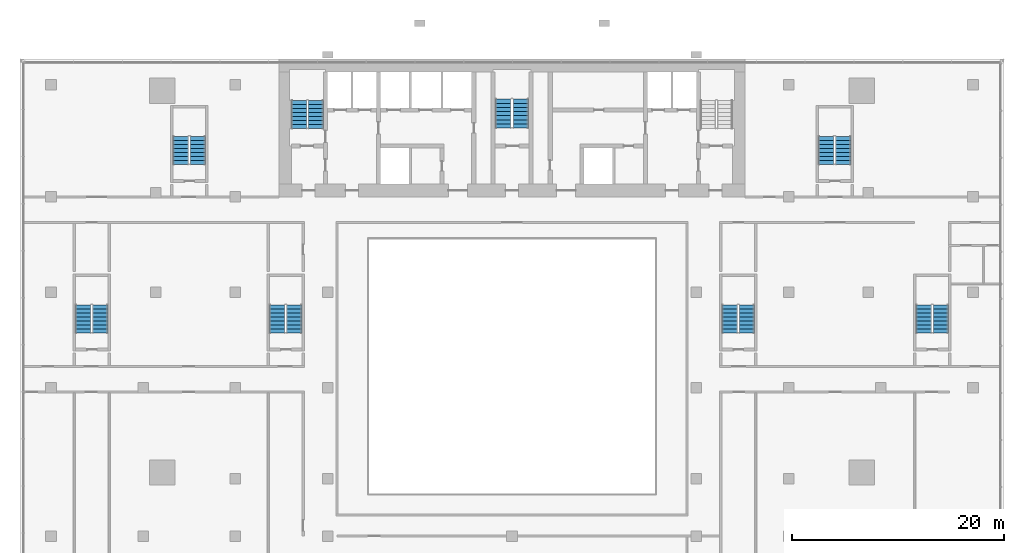
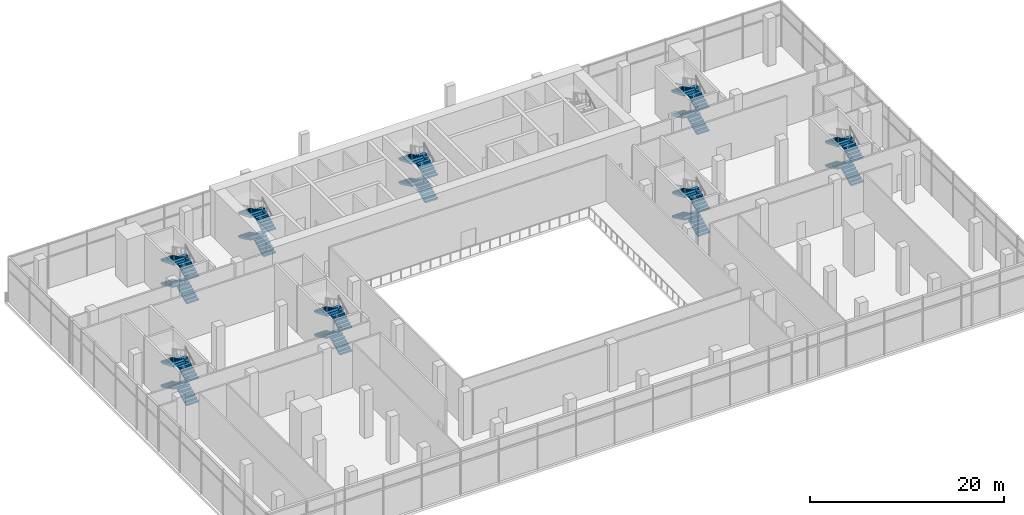
# One storey, part 16 of 22: 32 stair flights, 8 elements without a shape of their own.
"""IFC4 building model written with IfcOpenShell, lengths in metres."""

from ifc_helpers import new_model, si_unit, direction, frame, origin, place, context, subcontext, project, spatial, polyline, outline, extrude, material, type_object, element, aggregate, save


model = new_model("IFC4")

# Units and contexts
model_context = context("Model", 3, precision=1e-05, world=origin(), true_north=direction((0.0, 1.0)))
body_context = subcontext(model_context, "Body", "Model", "MODEL_VIEW")
ifc_project = project(units=[si_unit("LENGTHUNIT", "METRE"), si_unit("AREAUNIT", "SQUARE_METRE"), si_unit("VOLUMEUNIT", "CUBIC_METRE"), si_unit("PLANEANGLEUNIT", "RADIAN"), si_unit("MASSUNIT", "GRAM", prefix="KILO")], contexts=[model_context])

# Site, building, storey
site_placement = place(None, origin())
site = spatial("IfcSite", under=ifc_project, at=site_placement, CompositionType="ELEMENT")
building_placement = place(site_placement, origin())
building = spatial("IfcBuilding", under=site, at=building_placement, Name="Bicima Exchange Tower", CompositionType="ELEMENT")
storey_placement = place(building_placement, frame((0.0, 0.0, 14.0)))
storey = spatial("IfcBuildingStorey", under=building, at=storey_placement, Name="L02", CompositionType="ELEMENT", Elevation=14.0)

# Stair, stair flights
ifc_material = material(Name="Concrete C50/60", Category="concrete")
stair_type_1 = type_object("IfcStairType", Name="Exit stair", PredefinedType="HALF_TURN_STAIR", material=ifc_material)
stair_1_placement = place(storey_placement, origin())
stair_1 = element("IfcStair", 1, at=stair_1_placement, inside=storey, type_object=stair_type_1, Name="L02 West exit stair", PredefinedType="HALF_TURN_STAIR")
stair_flight_type_1 = type_object("IfcStairFlightType", Name="Stair flight RC", PredefinedType="STRAIGHT", material=ifc_material)
stair_flight_1_placement = place(storey_placement, frame((-18.52490234375, -6.550048828125, 0.0), z_axis=(0.0, 0.0, 1.0), x_axis=(0.0, 1.0, 0.0)))
stair_flight_1 = element("IfcStairFlight", 2, at=stair_flight_1_placement, type_object=stair_flight_type_1, Name="ST-W flight 1", NumberOfRisers=8, NumberOfTreads=7, PredefinedType="STRAIGHT", RiserHeight=0.1875, TreadLength=0.375714286, context=body_context, shape_type="SweptSolid", body=[
    extrude(outline(polyline([(0.0, 0.0), (0.0, 0.1875), (0.375732421875, 0.1875), (0.375732421875, 0.375), (0.75146484375, 0.375), (0.75146484375, 0.5625), (1.127197265625, 0.5625), (1.127197265625, 0.75), (1.5029296875, 0.75), (1.5029296875, 0.9375), (1.878662109375, 0.9375), (1.878662109375, 1.125), (2.25439453125, 1.125), (2.25439453125, 1.3125), (2.6298828125, 1.3125), (2.6298828125, 1.5), (2.6298828125, 1.14501953125), (0.335693359375, 0.0), (0.0, 0.0)])), frame((0.0, 0.72509765625, 0.0), z_axis=(0.0, -1.0, 0.0), x_axis=(1.0, 0.0, 0.0)), (0.0, 0.0, 1.0), 1.449951171875),
])
stair_flight_2_placement = place(storey_placement, frame((-20.074951171875, -3.919921875, 1.5), z_axis=(0.0, 0.0, 1.0), x_axis=(0.0, -1.0, 0.0)))
stair_flight_2 = element("IfcStairFlight", 3, at=stair_flight_2_placement, type_object=stair_flight_type_1, Name="ST-W flight 2", NumberOfRisers=8, NumberOfTreads=7, PredefinedType="STRAIGHT", RiserHeight=0.1875, TreadLength=0.375714286, context=body_context, shape_type="SweptSolid", body=[
    extrude(outline(polyline([(0.0, 0.0), (0.0, 0.1875), (0.375732421875, 0.1875), (0.375732421875, 0.375), (0.75146484375, 0.375), (0.75146484375, 0.5625), (1.127197265625, 0.5625), (1.127197265625, 0.75), (1.5029296875, 0.75), (1.5029296875, 0.9375), (1.878662109375, 0.9375), (1.878662109375, 1.125), (2.25439453125, 1.125), (2.25439453125, 1.3125), (2.6298828125, 1.3125), (2.6298828125, 1.5), (2.6298828125, 1.14501953125), (0.335693359375, 0.0), (0.0, 0.0)])), frame((0.0, 0.72509765625, 0.0), z_axis=(0.0, -1.0, 0.0), x_axis=(1.0, 0.0, 0.0)), (0.0, 0.0, 1.0), 1.449951171875),
])
stair_flight_3_placement = place(storey_placement, frame((-18.52490234375, -6.550048828125, 3.0), z_axis=(0.0, 0.0, 1.0), x_axis=(0.0, 1.0, 0.0)))
stair_flight_3 = element("IfcStairFlight", 4, at=stair_flight_3_placement, type_object=stair_flight_type_1, Name="ST-W flight 3", NumberOfRisers=8, NumberOfTreads=7, PredefinedType="STRAIGHT", RiserHeight=0.1875, TreadLength=0.375714286, context=body_context, shape_type="SweptSolid", body=[
    extrude(outline(polyline([(0.0, 0.0), (0.0, 0.1875), (0.375732421875, 0.1875), (0.375732421875, 0.375), (0.75146484375, 0.375), (0.75146484375, 0.5625), (1.127197265625, 0.5625), (1.127197265625, 0.75), (1.5029296875, 0.75), (1.5029296875, 0.9375), (1.878662109375, 0.9375), (1.878662109375, 1.125), (2.25439453125, 1.125), (2.25439453125, 1.3125), (2.6298828125, 1.3125), (2.6298828125, 1.5), (2.6298828125, 1.14501953125), (0.335693359375, 0.0), (0.0, 0.0)])), frame((0.0, 0.72509765625, 0.0), z_axis=(0.0, -1.0, 0.0), x_axis=(1.0, 0.0, 0.0)), (0.0, 0.0, 1.0), 1.449951171875),
])
stair_flight_4_placement = place(storey_placement, frame((-20.074951171875, -3.919921875, 4.5), z_axis=(0.0, 0.0, 1.0), x_axis=(0.0, -1.0, 0.0)))
stair_flight_4 = element("IfcStairFlight", 5, at=stair_flight_4_placement, type_object=stair_flight_type_1, Name="ST-W flight 4", NumberOfRisers=8, NumberOfTreads=7, PredefinedType="STRAIGHT", RiserHeight=0.1875, TreadLength=0.375714286, context=body_context, shape_type="SweptSolid", body=[
    extrude(outline(polyline([(0.0, 0.0), (0.0, 0.1875), (0.375732421875, 0.1875), (0.375732421875, 0.375), (0.75146484375, 0.375), (0.75146484375, 0.5625), (1.127197265625, 0.5625), (1.127197265625, 0.75), (1.5029296875, 0.75), (1.5029296875, 0.9375), (1.878662109375, 0.9375), (1.878662109375, 1.125), (2.25439453125, 1.125), (2.25439453125, 1.3125), (2.6298828125, 1.3125), (2.64501953125, 1.3125), (2.64501953125, 0.96484375), (0.335693359375, 0.0), (0.0, 0.0)])), frame((0.0, 0.72509765625, 0.0), z_axis=(0.0, -1.0, 0.0), x_axis=(1.0, 0.0, 0.0)), (0.0, 0.0, 1.0), 1.449951171875),
])
aggregate(stair_1, [stair_flight_1, stair_flight_2, stair_flight_3, stair_flight_4])

stair_2_placement = place(storey_placement, origin())
stair_2 = element("IfcStair", 6, at=stair_2_placement, inside=storey, type_object=stair_type_1, Name="L02 West end exit stair", PredefinedType="HALF_TURN_STAIR")
stair_flight_5_placement = place(storey_placement, frame((-29.64990234375, -9.925048828125, 0.0), z_axis=(0.0, 0.0, 1.0), x_axis=(0.0, 1.0, 0.0)))
stair_flight_5 = element("IfcStairFlight", 7, at=stair_flight_5_placement, type_object=stair_flight_type_1, Name="ST-WW flight 1", NumberOfRisers=8, NumberOfTreads=7, PredefinedType="STRAIGHT", RiserHeight=0.1875, TreadLength=0.375714286, context=body_context, shape_type="SweptSolid", body=[
    extrude(outline(polyline([(0.0, 0.0), (0.0, 0.1875), (0.375732421875, 0.1875), (0.375732421875, 0.375), (0.75146484375, 0.375), (0.75146484375, 0.5625), (1.127197265625, 0.5625), (1.127197265625, 0.75), (1.5029296875, 0.75), (1.5029296875, 0.9375), (1.878662109375, 0.9375), (1.878662109375, 1.125), (2.25439453125, 1.125), (2.25439453125, 1.3125), (2.6298828125, 1.3125), (2.6298828125, 1.5), (2.6298828125, 1.14501953125), (0.335693359375, 0.0), (0.0, 0.0)])), frame((0.0, 0.72509765625, 0.0), z_axis=(0.0, -1.0, 0.0), x_axis=(1.0, 0.0, 0.0)), (0.0, 0.0, 1.0), 1.449951171875),
])
stair_flight_6_placement = place(storey_placement, frame((-31.25, -7.294921875, 1.5), z_axis=(0.0, 0.0, 1.0), x_axis=(0.0, -1.0, 0.0)))
stair_flight_6 = element("IfcStairFlight", 8, at=stair_flight_6_placement, type_object=stair_flight_type_1, Name="ST-WW flight 2", NumberOfRisers=8, NumberOfTreads=7, PredefinedType="STRAIGHT", RiserHeight=0.1875, TreadLength=0.375714286, context=body_context, shape_type="SweptSolid", body=[
    extrude(outline(polyline([(0.0, 0.0), (0.0, 0.1875), (0.375732421875, 0.1875), (0.375732421875, 0.375), (0.75146484375, 0.375), (0.75146484375, 0.5625), (1.127197265625, 0.5625), (1.127197265625, 0.75), (1.5029296875, 0.75), (1.5029296875, 0.9375), (1.878662109375, 0.9375), (1.878662109375, 1.125), (2.25439453125, 1.125), (2.25439453125, 1.3125), (2.6298828125, 1.3125), (2.6298828125, 1.5), (2.6298828125, 1.14501953125), (0.335693359375, 0.0), (0.0, 0.0)])), frame((0.0, 0.72509765625, 0.0), z_axis=(0.0, -1.0, 0.0), x_axis=(1.0, 0.0, 0.0)), (0.0, 0.0, 1.0), 1.449951171875),
])
stair_flight_7_placement = place(storey_placement, frame((-29.64990234375, -9.925048828125, 3.0), z_axis=(0.0, 0.0, 1.0), x_axis=(0.0, 1.0, 0.0)))
stair_flight_7 = element("IfcStairFlight", 9, at=stair_flight_7_placement, type_object=stair_flight_type_1, Name="ST-WW flight 3", NumberOfRisers=8, NumberOfTreads=7, PredefinedType="STRAIGHT", RiserHeight=0.1875, TreadLength=0.375714286, context=body_context, shape_type="SweptSolid", body=[
    extrude(outline(polyline([(0.0, 0.0), (0.0, 0.1875), (0.375732421875, 0.1875), (0.375732421875, 0.375), (0.75146484375, 0.375), (0.75146484375, 0.5625), (1.127197265625, 0.5625), (1.127197265625, 0.75), (1.5029296875, 0.75), (1.5029296875, 0.9375), (1.878662109375, 0.9375), (1.878662109375, 1.125), (2.25439453125, 1.125), (2.25439453125, 1.3125), (2.6298828125, 1.3125), (2.6298828125, 1.5), (2.6298828125, 1.14501953125), (0.335693359375, 0.0), (0.0, 0.0)])), frame((0.0, 0.72509765625, 0.0), z_axis=(0.0, -1.0, 0.0), x_axis=(1.0, 0.0, 0.0)), (0.0, 0.0, 1.0), 1.449951171875),
])
stair_flight_8_placement = place(storey_placement, frame((-31.25, -7.294921875, 4.5), z_axis=(0.0, 0.0, 1.0), x_axis=(0.0, -1.0, 0.0)))
stair_flight_8 = element("IfcStairFlight", 10, at=stair_flight_8_placement, type_object=stair_flight_type_1, Name="ST-WW flight 4", NumberOfRisers=8, NumberOfTreads=7, PredefinedType="STRAIGHT", RiserHeight=0.1875, TreadLength=0.375714286, context=body_context, shape_type="SweptSolid", body=[
    extrude(outline(polyline([(0.0, 0.0), (0.0, 0.1875), (0.375732421875, 0.1875), (0.375732421875, 0.375), (0.75146484375, 0.375), (0.75146484375, 0.5625), (1.127197265625, 0.5625), (1.127197265625, 0.75), (1.5029296875, 0.75), (1.5029296875, 0.9375), (1.878662109375, 0.9375), (1.878662109375, 1.125), (2.25439453125, 1.125), (2.25439453125, 1.3125), (2.6298828125, 1.3125), (2.64501953125, 1.3125), (2.64501953125, 0.96484375), (0.335693359375, 0.0), (0.0, 0.0)])), frame((0.0, 0.72509765625, 0.0), z_axis=(0.0, -1.0, 0.0), x_axis=(1.0, 0.0, 0.0)), (0.0, 0.0, 1.0), 1.449951171875),
])
aggregate(stair_2, [stair_flight_5, stair_flight_6, stair_flight_7, stair_flight_8])

stair_3_placement = place(storey_placement, origin())
stair_3 = element("IfcStair", 11, at=stair_3_placement, inside=storey, type_object=stair_type_1, Name="L02 East end exit stair", PredefinedType="HALF_TURN_STAIR")
stair_flight_9_placement = place(storey_placement, frame((31.25, -9.925048828125, 0.0), z_axis=(0.0, 0.0, 1.0), x_axis=(0.0, 1.0, 0.0)))
stair_flight_9 = element("IfcStairFlight", 12, at=stair_flight_9_placement, type_object=stair_flight_type_1, Name="ST-EE flight 1", NumberOfRisers=8, NumberOfTreads=7, PredefinedType="STRAIGHT", RiserHeight=0.1875, TreadLength=0.375714286, context=body_context, shape_type="SweptSolid", body=[
    extrude(outline(polyline([(0.0, 0.0), (0.0, 0.1875), (0.375732421875, 0.1875), (0.375732421875, 0.375), (0.75146484375, 0.375), (0.75146484375, 0.5625), (1.127197265625, 0.5625), (1.127197265625, 0.75), (1.5029296875, 0.75), (1.5029296875, 0.9375), (1.878662109375, 0.9375), (1.878662109375, 1.125), (2.25439453125, 1.125), (2.25439453125, 1.3125), (2.6298828125, 1.3125), (2.6298828125, 1.5), (2.6298828125, 1.14501953125), (0.335693359375, 0.0), (0.0, 0.0)])), frame((0.0, 0.72509765625, 0.0), z_axis=(0.0, -1.0, 0.0), x_axis=(1.0, 0.0, 0.0)), (0.0, 0.0, 1.0), 1.449951171875),
])
stair_flight_10_placement = place(storey_placement, frame((29.64990234375, -7.294921875, 1.5), z_axis=(0.0, 0.0, 1.0), x_axis=(0.0, -1.0, 0.0)))
stair_flight_10 = element("IfcStairFlight", 13, at=stair_flight_10_placement, type_object=stair_flight_type_1, Name="ST-EE flight 2", NumberOfRisers=8, NumberOfTreads=7, PredefinedType="STRAIGHT", RiserHeight=0.1875, TreadLength=0.375714286, context=body_context, shape_type="SweptSolid", body=[
    extrude(outline(polyline([(0.0, 0.0), (0.0, 0.1875), (0.375732421875, 0.1875), (0.375732421875, 0.375), (0.75146484375, 0.375), (0.75146484375, 0.5625), (1.127197265625, 0.5625), (1.127197265625, 0.75), (1.5029296875, 0.75), (1.5029296875, 0.9375), (1.878662109375, 0.9375), (1.878662109375, 1.125), (2.25439453125, 1.125), (2.25439453125, 1.3125), (2.6298828125, 1.3125), (2.6298828125, 1.5), (2.6298828125, 1.14501953125), (0.335693359375, 0.0), (0.0, 0.0)])), frame((0.0, 0.72509765625, 0.0), z_axis=(0.0, -1.0, 0.0), x_axis=(1.0, 0.0, 0.0)), (0.0, 0.0, 1.0), 1.449951171875),
])
stair_flight_11_placement = place(storey_placement, frame((31.25, -9.925048828125, 3.0), z_axis=(0.0, 0.0, 1.0), x_axis=(0.0, 1.0, 0.0)))
stair_flight_11 = element("IfcStairFlight", 14, at=stair_flight_11_placement, type_object=stair_flight_type_1, Name="ST-EE flight 3", NumberOfRisers=8, NumberOfTreads=7, PredefinedType="STRAIGHT", RiserHeight=0.1875, TreadLength=0.375714286, context=body_context, shape_type="SweptSolid", body=[
    extrude(outline(polyline([(0.0, 0.0), (0.0, 0.1875), (0.375732421875, 0.1875), (0.375732421875, 0.375), (0.75146484375, 0.375), (0.75146484375, 0.5625), (1.127197265625, 0.5625), (1.127197265625, 0.75), (1.5029296875, 0.75), (1.5029296875, 0.9375), (1.878662109375, 0.9375), (1.878662109375, 1.125), (2.25439453125, 1.125), (2.25439453125, 1.3125), (2.6298828125, 1.3125), (2.6298828125, 1.5), (2.6298828125, 1.14501953125), (0.335693359375, 0.0), (0.0, 0.0)])), frame((0.0, 0.72509765625, 0.0), z_axis=(0.0, -1.0, 0.0), x_axis=(1.0, 0.0, 0.0)), (0.0, 0.0, 1.0), 1.449951171875),
])
stair_flight_12_placement = place(storey_placement, frame((29.64990234375, -7.294921875, 4.5), z_axis=(0.0, 0.0, 1.0), x_axis=(0.0, -1.0, 0.0)))
stair_flight_12 = element("IfcStairFlight", 15, at=stair_flight_12_placement, type_object=stair_flight_type_1, Name="ST-EE flight 4", NumberOfRisers=8, NumberOfTreads=7, PredefinedType="STRAIGHT", RiserHeight=0.1875, TreadLength=0.375714286, context=body_context, shape_type="SweptSolid", body=[
    extrude(outline(polyline([(0.0, 0.0), (0.0, 0.1875), (0.375732421875, 0.1875), (0.375732421875, 0.375), (0.75146484375, 0.375), (0.75146484375, 0.5625), (1.127197265625, 0.5625), (1.127197265625, 0.75), (1.5029296875, 0.75), (1.5029296875, 0.9375), (1.878662109375, 0.9375), (1.878662109375, 1.125), (2.25439453125, 1.125), (2.25439453125, 1.3125), (2.6298828125, 1.3125), (2.64501953125, 1.3125), (2.64501953125, 0.96484375), (0.335693359375, 0.0), (0.0, 0.0)])), frame((0.0, 0.72509765625, 0.0), z_axis=(0.0, -1.0, 0.0), x_axis=(1.0, 0.0, 0.0)), (0.0, 0.0, 1.0), 1.449951171875),
])
aggregate(stair_3, [stair_flight_9, stair_flight_10, stair_flight_11, stair_flight_12])

stair_4_placement = place(storey_placement, origin())
stair_4 = element("IfcStair", 16, at=stair_4_placement, inside=storey, type_object=stair_type_1, Name="L02 Podium west stair", PredefinedType="HALF_TURN_STAIR")
stair_flight_13_placement = place(storey_placement, frame((-38.85009765625, -25.824951171875, 0.0), z_axis=(0.0, 0.0, 1.0), x_axis=(0.0, 1.0, 0.0)))
stair_flight_13 = element("IfcStairFlight", 17, at=stair_flight_13_placement, type_object=stair_flight_type_1, Name="PS-W flight 1", NumberOfRisers=8, NumberOfTreads=7, PredefinedType="STRAIGHT", RiserHeight=0.1875, TreadLength=0.375714286, context=body_context, shape_type="SweptSolid", body=[
    extrude(outline(polyline([(0.0, 0.0), (0.0, 0.1875), (0.375732421875, 0.1875), (0.375732421875, 0.375), (0.75146484375, 0.375), (0.75146484375, 0.5625), (1.127197265625, 0.5625), (1.127197265625, 0.75), (1.5029296875, 0.75), (1.5029296875, 0.9375), (1.878662109375, 0.9375), (1.878662109375, 1.125), (2.25439453125, 1.125), (2.25439453125, 1.3125), (2.6298828125, 1.3125), (2.6298828125, 1.5), (2.6298828125, 1.14501953125), (0.335693359375, 0.0), (0.0, 0.0)])), frame((0.0, 0.72509765625, 0.0), z_axis=(0.0, -1.0, 0.0), x_axis=(1.0, 0.0, 0.0)), (0.0, 0.0, 1.0), 1.449951171875),
])
stair_flight_14_placement = place(storey_placement, frame((-40.449951171875, -23.195068359375, 1.5), z_axis=(0.0, 0.0, 1.0), x_axis=(0.0, -1.0, 0.0)))
stair_flight_14 = element("IfcStairFlight", 18, at=stair_flight_14_placement, type_object=stair_flight_type_1, Name="PS-W flight 2", NumberOfRisers=8, NumberOfTreads=7, PredefinedType="STRAIGHT", RiserHeight=0.1875, TreadLength=0.375714286, context=body_context, shape_type="SweptSolid", body=[
    extrude(outline(polyline([(0.0, 0.0), (0.0, 0.1875), (0.375732421875, 0.1875), (0.375732421875, 0.375), (0.75146484375, 0.375), (0.75146484375, 0.5625), (1.127197265625, 0.5625), (1.127197265625, 0.75), (1.5029296875, 0.75), (1.5029296875, 0.9375), (1.878662109375, 0.9375), (1.878662109375, 1.125), (2.25439453125, 1.125), (2.25439453125, 1.3125), (2.6298828125, 1.3125), (2.6298828125, 1.5), (2.6298828125, 1.14501953125), (0.335693359375, 0.0), (0.0, 0.0)])), frame((0.0, 0.72509765625, 0.0), z_axis=(0.0, -1.0, 0.0), x_axis=(1.0, 0.0, 0.0)), (0.0, 0.0, 1.0), 1.449951171875),
])
stair_flight_15_placement = place(storey_placement, frame((-38.85009765625, -25.824951171875, 3.0), z_axis=(0.0, 0.0, 1.0), x_axis=(0.0, 1.0, 0.0)))
stair_flight_15 = element("IfcStairFlight", 19, at=stair_flight_15_placement, type_object=stair_flight_type_1, Name="PS-W flight 3", NumberOfRisers=8, NumberOfTreads=7, PredefinedType="STRAIGHT", RiserHeight=0.1875, TreadLength=0.375714286, context=body_context, shape_type="SweptSolid", body=[
    extrude(outline(polyline([(0.0, 0.0), (0.0, 0.1875), (0.375732421875, 0.1875), (0.375732421875, 0.375), (0.75146484375, 0.375), (0.75146484375, 0.5625), (1.127197265625, 0.5625), (1.127197265625, 0.75), (1.5029296875, 0.75), (1.5029296875, 0.9375), (1.878662109375, 0.9375), (1.878662109375, 1.125), (2.25439453125, 1.125), (2.25439453125, 1.3125), (2.6298828125, 1.3125), (2.6298828125, 1.5), (2.6298828125, 1.14501953125), (0.335693359375, 0.0), (0.0, 0.0)])), frame((0.0, 0.72509765625, 0.0), z_axis=(0.0, -1.0, 0.0), x_axis=(1.0, 0.0, 0.0)), (0.0, 0.0, 1.0), 1.449951171875),
])
stair_flight_16_placement = place(storey_placement, frame((-40.449951171875, -23.195068359375, 4.5), z_axis=(0.0, 0.0, 1.0), x_axis=(0.0, -1.0, 0.0)))
stair_flight_16 = element("IfcStairFlight", 20, at=stair_flight_16_placement, type_object=stair_flight_type_1, Name="PS-W flight 4", NumberOfRisers=8, NumberOfTreads=7, PredefinedType="STRAIGHT", RiserHeight=0.1875, TreadLength=0.375714286, context=body_context, shape_type="SweptSolid", body=[
    extrude(outline(polyline([(0.0, 0.0), (0.0, 0.1875), (0.375732421875, 0.1875), (0.375732421875, 0.375), (0.75146484375, 0.375), (0.75146484375, 0.5625), (1.127197265625, 0.5625), (1.127197265625, 0.75), (1.5029296875, 0.75), (1.5029296875, 0.9375), (1.878662109375, 0.9375), (1.878662109375, 1.125), (2.25439453125, 1.125), (2.25439453125, 1.3125), (2.6298828125, 1.3125), (2.64501953125, 1.3125), (2.64501953125, 0.96484375), (0.335693359375, 0.0), (0.0, 0.0)])), frame((0.0, 0.72509765625, 0.0), z_axis=(0.0, -1.0, 0.0), x_axis=(1.0, 0.0, 0.0)), (0.0, 0.0, 1.0), 1.449951171875),
])
aggregate(stair_4, [stair_flight_13, stair_flight_14, stair_flight_15, stair_flight_16])

stair_5_placement = place(storey_placement, origin())
stair_5 = element("IfcStair", 21, at=stair_5_placement, inside=storey, type_object=stair_type_1, Name="L02 Podium inner west stair", PredefinedType="HALF_TURN_STAIR")
stair_flight_17_placement = place(storey_placement, frame((-20.550048828125, -25.824951171875, 0.0), z_axis=(0.0, 0.0, 1.0), x_axis=(0.0, 1.0, 0.0)))
stair_flight_17 = element("IfcStairFlight", 22, at=stair_flight_17_placement, type_object=stair_flight_type_1, Name="PS-WI flight 1", NumberOfRisers=8, NumberOfTreads=7, PredefinedType="STRAIGHT", RiserHeight=0.1875, TreadLength=0.375714286, context=body_context, shape_type="SweptSolid", body=[
    extrude(outline(polyline([(0.0, 0.0), (0.0, 0.1875), (0.375732421875, 0.1875), (0.375732421875, 0.375), (0.75146484375, 0.375), (0.75146484375, 0.5625), (1.127197265625, 0.5625), (1.127197265625, 0.75), (1.5029296875, 0.75), (1.5029296875, 0.9375), (1.878662109375, 0.9375), (1.878662109375, 1.125), (2.25439453125, 1.125), (2.25439453125, 1.3125), (2.6298828125, 1.3125), (2.6298828125, 1.5), (2.6298828125, 1.14501953125), (0.335693359375, 0.0), (0.0, 0.0)])), frame((0.0, 0.72509765625, 0.0), z_axis=(0.0, -1.0, 0.0), x_axis=(1.0, 0.0, 0.0)), (0.0, 0.0, 1.0), 1.449951171875),
])
stair_flight_18_placement = place(storey_placement, frame((-22.14990234375, -23.195068359375, 1.5), z_axis=(0.0, 0.0, 1.0), x_axis=(0.0, -1.0, 0.0)))
stair_flight_18 = element("IfcStairFlight", 23, at=stair_flight_18_placement, type_object=stair_flight_type_1, Name="PS-WI flight 2", NumberOfRisers=8, NumberOfTreads=7, PredefinedType="STRAIGHT", RiserHeight=0.1875, TreadLength=0.375714286, context=body_context, shape_type="SweptSolid", body=[
    extrude(outline(polyline([(0.0, 0.0), (0.0, 0.1875), (0.375732421875, 0.1875), (0.375732421875, 0.375), (0.75146484375, 0.375), (0.75146484375, 0.5625), (1.127197265625, 0.5625), (1.127197265625, 0.75), (1.5029296875, 0.75), (1.5029296875, 0.9375), (1.878662109375, 0.9375), (1.878662109375, 1.125), (2.25439453125, 1.125), (2.25439453125, 1.3125), (2.6298828125, 1.3125), (2.6298828125, 1.5), (2.6298828125, 1.14501953125), (0.335693359375, 0.0), (0.0, 0.0)])), frame((0.0, 0.72509765625, 0.0), z_axis=(0.0, -1.0, 0.0), x_axis=(1.0, 0.0, 0.0)), (0.0, 0.0, 1.0), 1.449951171875),
])
stair_flight_19_placement = place(storey_placement, frame((-20.550048828125, -25.824951171875, 3.0), z_axis=(0.0, 0.0, 1.0), x_axis=(0.0, 1.0, 0.0)))
stair_flight_19 = element("IfcStairFlight", 24, at=stair_flight_19_placement, type_object=stair_flight_type_1, Name="PS-WI flight 3", NumberOfRisers=8, NumberOfTreads=7, PredefinedType="STRAIGHT", RiserHeight=0.1875, TreadLength=0.375714286, context=body_context, shape_type="SweptSolid", body=[
    extrude(outline(polyline([(0.0, 0.0), (0.0, 0.1875), (0.375732421875, 0.1875), (0.375732421875, 0.375), (0.75146484375, 0.375), (0.75146484375, 0.5625), (1.127197265625, 0.5625), (1.127197265625, 0.75), (1.5029296875, 0.75), (1.5029296875, 0.9375), (1.878662109375, 0.9375), (1.878662109375, 1.125), (2.25439453125, 1.125), (2.25439453125, 1.3125), (2.6298828125, 1.3125), (2.6298828125, 1.5), (2.6298828125, 1.14501953125), (0.335693359375, 0.0), (0.0, 0.0)])), frame((0.0, 0.72509765625, 0.0), z_axis=(0.0, -1.0, 0.0), x_axis=(1.0, 0.0, 0.0)), (0.0, 0.0, 1.0), 1.449951171875),
])
stair_flight_20_placement = place(storey_placement, frame((-22.14990234375, -23.195068359375, 4.5), z_axis=(0.0, 0.0, 1.0), x_axis=(0.0, -1.0, 0.0)))
stair_flight_20 = element("IfcStairFlight", 25, at=stair_flight_20_placement, type_object=stair_flight_type_1, Name="PS-WI flight 4", NumberOfRisers=8, NumberOfTreads=7, PredefinedType="STRAIGHT", RiserHeight=0.1875, TreadLength=0.375714286, context=body_context, shape_type="SweptSolid", body=[
    extrude(outline(polyline([(0.0, 0.0), (0.0, 0.1875), (0.375732421875, 0.1875), (0.375732421875, 0.375), (0.75146484375, 0.375), (0.75146484375, 0.5625), (1.127197265625, 0.5625), (1.127197265625, 0.75), (1.5029296875, 0.75), (1.5029296875, 0.9375), (1.878662109375, 0.9375), (1.878662109375, 1.125), (2.25439453125, 1.125), (2.25439453125, 1.3125), (2.6298828125, 1.3125), (2.64501953125, 1.3125), (2.64501953125, 0.96484375), (0.335693359375, 0.0), (0.0, 0.0)])), frame((0.0, 0.72509765625, 0.0), z_axis=(0.0, -1.0, 0.0), x_axis=(1.0, 0.0, 0.0)), (0.0, 0.0, 1.0), 1.449951171875),
])
aggregate(stair_5, [stair_flight_17, stair_flight_18, stair_flight_19, stair_flight_20])

stair_6_placement = place(storey_placement, origin())
stair_6 = element("IfcStair", 26, at=stair_6_placement, inside=storey, type_object=stair_type_1, Name="L02 Podium inner east stair", PredefinedType="HALF_TURN_STAIR")
stair_flight_21_placement = place(storey_placement, frame((22.14990234375, -25.824951171875, 0.0), z_axis=(0.0, 0.0, 1.0), x_axis=(0.0, 1.0, 0.0)))
stair_flight_21 = element("IfcStairFlight", 27, at=stair_flight_21_placement, type_object=stair_flight_type_1, Name="PS-EI flight 1", NumberOfRisers=8, NumberOfTreads=7, PredefinedType="STRAIGHT", RiserHeight=0.1875, TreadLength=0.375714286, context=body_context, shape_type="SweptSolid", body=[
    extrude(outline(polyline([(0.0, 0.0), (0.0, 0.1875), (0.375732421875, 0.1875), (0.375732421875, 0.375), (0.75146484375, 0.375), (0.75146484375, 0.5625), (1.127197265625, 0.5625), (1.127197265625, 0.75), (1.5029296875, 0.75), (1.5029296875, 0.9375), (1.878662109375, 0.9375), (1.878662109375, 1.125), (2.25439453125, 1.125), (2.25439453125, 1.3125), (2.6298828125, 1.3125), (2.6298828125, 1.5), (2.6298828125, 1.14501953125), (0.335693359375, 0.0), (0.0, 0.0)])), frame((0.0, 0.72509765625, 0.0), z_axis=(0.0, -1.0, 0.0), x_axis=(1.0, 0.0, 0.0)), (0.0, 0.0, 1.0), 1.449951171875),
])
stair_flight_22_placement = place(storey_placement, frame((20.550048828125, -23.195068359375, 1.5), z_axis=(0.0, 0.0, 1.0), x_axis=(0.0, -1.0, 0.0)))
stair_flight_22 = element("IfcStairFlight", 28, at=stair_flight_22_placement, type_object=stair_flight_type_1, Name="PS-EI flight 2", NumberOfRisers=8, NumberOfTreads=7, PredefinedType="STRAIGHT", RiserHeight=0.1875, TreadLength=0.375714286, context=body_context, shape_type="SweptSolid", body=[
    extrude(outline(polyline([(0.0, 0.0), (0.0, 0.1875), (0.375732421875, 0.1875), (0.375732421875, 0.375), (0.75146484375, 0.375), (0.75146484375, 0.5625), (1.127197265625, 0.5625), (1.127197265625, 0.75), (1.5029296875, 0.75), (1.5029296875, 0.9375), (1.878662109375, 0.9375), (1.878662109375, 1.125), (2.25439453125, 1.125), (2.25439453125, 1.3125), (2.6298828125, 1.3125), (2.6298828125, 1.5), (2.6298828125, 1.14501953125), (0.335693359375, 0.0), (0.0, 0.0)])), frame((0.0, 0.72509765625, 0.0), z_axis=(0.0, -1.0, 0.0), x_axis=(1.0, 0.0, 0.0)), (0.0, 0.0, 1.0), 1.449951171875),
])
stair_flight_23_placement = place(storey_placement, frame((22.14990234375, -25.824951171875, 3.0), z_axis=(0.0, 0.0, 1.0), x_axis=(0.0, 1.0, 0.0)))
stair_flight_23 = element("IfcStairFlight", 29, at=stair_flight_23_placement, type_object=stair_flight_type_1, Name="PS-EI flight 3", NumberOfRisers=8, NumberOfTreads=7, PredefinedType="STRAIGHT", RiserHeight=0.1875, TreadLength=0.375714286, context=body_context, shape_type="SweptSolid", body=[
    extrude(outline(polyline([(0.0, 0.0), (0.0, 0.1875), (0.375732421875, 0.1875), (0.375732421875, 0.375), (0.75146484375, 0.375), (0.75146484375, 0.5625), (1.127197265625, 0.5625), (1.127197265625, 0.75), (1.5029296875, 0.75), (1.5029296875, 0.9375), (1.878662109375, 0.9375), (1.878662109375, 1.125), (2.25439453125, 1.125), (2.25439453125, 1.3125), (2.6298828125, 1.3125), (2.6298828125, 1.5), (2.6298828125, 1.14501953125), (0.335693359375, 0.0), (0.0, 0.0)])), frame((0.0, 0.72509765625, 0.0), z_axis=(0.0, -1.0, 0.0), x_axis=(1.0, 0.0, 0.0)), (0.0, 0.0, 1.0), 1.449951171875),
])
stair_flight_24_placement = place(storey_placement, frame((20.550048828125, -23.195068359375, 4.5), z_axis=(0.0, 0.0, 1.0), x_axis=(0.0, -1.0, 0.0)))
stair_flight_24 = element("IfcStairFlight", 30, at=stair_flight_24_placement, type_object=stair_flight_type_1, Name="PS-EI flight 4", NumberOfRisers=8, NumberOfTreads=7, PredefinedType="STRAIGHT", RiserHeight=0.1875, TreadLength=0.375714286, context=body_context, shape_type="SweptSolid", body=[
    extrude(outline(polyline([(0.0, 0.0), (0.0, 0.1875), (0.375732421875, 0.1875), (0.375732421875, 0.375), (0.75146484375, 0.375), (0.75146484375, 0.5625), (1.127197265625, 0.5625), (1.127197265625, 0.75), (1.5029296875, 0.75), (1.5029296875, 0.9375), (1.878662109375, 0.9375), (1.878662109375, 1.125), (2.25439453125, 1.125), (2.25439453125, 1.3125), (2.6298828125, 1.3125), (2.64501953125, 1.3125), (2.64501953125, 0.96484375), (0.335693359375, 0.0), (0.0, 0.0)])), frame((0.0, 0.72509765625, 0.0), z_axis=(0.0, -1.0, 0.0), x_axis=(1.0, 0.0, 0.0)), (0.0, 0.0, 1.0), 1.449951171875),
])
aggregate(stair_6, [stair_flight_21, stair_flight_22, stair_flight_23, stair_flight_24])

stair_7_placement = place(storey_placement, origin())
stair_7 = element("IfcStair", 31, at=stair_7_placement, inside=storey, type_object=stair_type_1, Name="L02 Podium east stair", PredefinedType="HALF_TURN_STAIR")
stair_flight_25_placement = place(storey_placement, frame((40.449951171875, -25.824951171875, 0.0), z_axis=(0.0, 0.0, 1.0), x_axis=(0.0, 1.0, 0.0)))
stair_flight_25 = element("IfcStairFlight", 32, at=stair_flight_25_placement, type_object=stair_flight_type_1, Name="PS-E flight 1", NumberOfRisers=8, NumberOfTreads=7, PredefinedType="STRAIGHT", RiserHeight=0.1875, TreadLength=0.375714286, context=body_context, shape_type="SweptSolid", body=[
    extrude(outline(polyline([(0.0, 0.0), (0.0, 0.1875), (0.375732421875, 0.1875), (0.375732421875, 0.375), (0.75146484375, 0.375), (0.75146484375, 0.5625), (1.127197265625, 0.5625), (1.127197265625, 0.75), (1.5029296875, 0.75), (1.5029296875, 0.9375), (1.878662109375, 0.9375), (1.878662109375, 1.125), (2.25439453125, 1.125), (2.25439453125, 1.3125), (2.6298828125, 1.3125), (2.6298828125, 1.5), (2.6298828125, 1.14501953125), (0.335693359375, 0.0), (0.0, 0.0)])), frame((0.0, 0.72509765625, 0.0), z_axis=(0.0, -1.0, 0.0), x_axis=(1.0, 0.0, 0.0)), (0.0, 0.0, 1.0), 1.449951171875),
])
stair_flight_26_placement = place(storey_placement, frame((38.85009765625, -23.195068359375, 1.5), z_axis=(0.0, 0.0, 1.0), x_axis=(0.0, -1.0, 0.0)))
stair_flight_26 = element("IfcStairFlight", 33, at=stair_flight_26_placement, type_object=stair_flight_type_1, Name="PS-E flight 2", NumberOfRisers=8, NumberOfTreads=7, PredefinedType="STRAIGHT", RiserHeight=0.1875, TreadLength=0.375714286, context=body_context, shape_type="SweptSolid", body=[
    extrude(outline(polyline([(0.0, 0.0), (0.0, 0.1875), (0.375732421875, 0.1875), (0.375732421875, 0.375), (0.75146484375, 0.375), (0.75146484375, 0.5625), (1.127197265625, 0.5625), (1.127197265625, 0.75), (1.5029296875, 0.75), (1.5029296875, 0.9375), (1.878662109375, 0.9375), (1.878662109375, 1.125), (2.25439453125, 1.125), (2.25439453125, 1.3125), (2.6298828125, 1.3125), (2.6298828125, 1.5), (2.6298828125, 1.14501953125), (0.335693359375, 0.0), (0.0, 0.0)])), frame((0.0, 0.72509765625, 0.0), z_axis=(0.0, -1.0, 0.0), x_axis=(1.0, 0.0, 0.0)), (0.0, 0.0, 1.0), 1.449951171875),
])
stair_flight_27_placement = place(storey_placement, frame((40.449951171875, -25.824951171875, 3.0), z_axis=(0.0, 0.0, 1.0), x_axis=(0.0, 1.0, 0.0)))
stair_flight_27 = element("IfcStairFlight", 34, at=stair_flight_27_placement, type_object=stair_flight_type_1, Name="PS-E flight 3", NumberOfRisers=8, NumberOfTreads=7, PredefinedType="STRAIGHT", RiserHeight=0.1875, TreadLength=0.375714286, context=body_context, shape_type="SweptSolid", body=[
    extrude(outline(polyline([(0.0, 0.0), (0.0, 0.1875), (0.375732421875, 0.1875), (0.375732421875, 0.375), (0.75146484375, 0.375), (0.75146484375, 0.5625), (1.127197265625, 0.5625), (1.127197265625, 0.75), (1.5029296875, 0.75), (1.5029296875, 0.9375), (1.878662109375, 0.9375), (1.878662109375, 1.125), (2.25439453125, 1.125), (2.25439453125, 1.3125), (2.6298828125, 1.3125), (2.6298828125, 1.5), (2.6298828125, 1.14501953125), (0.335693359375, 0.0), (0.0, 0.0)])), frame((0.0, 0.72509765625, 0.0), z_axis=(0.0, -1.0, 0.0), x_axis=(1.0, 0.0, 0.0)), (0.0, 0.0, 1.0), 1.449951171875),
])
stair_flight_28_placement = place(storey_placement, frame((38.85009765625, -23.195068359375, 4.5), z_axis=(0.0, 0.0, 1.0), x_axis=(0.0, -1.0, 0.0)))
stair_flight_28 = element("IfcStairFlight", 35, at=stair_flight_28_placement, type_object=stair_flight_type_1, Name="PS-E flight 4", NumberOfRisers=8, NumberOfTreads=7, PredefinedType="STRAIGHT", RiserHeight=0.1875, TreadLength=0.375714286, context=body_context, shape_type="SweptSolid", body=[
    extrude(outline(polyline([(0.0, 0.0), (0.0, 0.1875), (0.375732421875, 0.1875), (0.375732421875, 0.375), (0.75146484375, 0.375), (0.75146484375, 0.5625), (1.127197265625, 0.5625), (1.127197265625, 0.75), (1.5029296875, 0.75), (1.5029296875, 0.9375), (1.878662109375, 0.9375), (1.878662109375, 1.125), (2.25439453125, 1.125), (2.25439453125, 1.3125), (2.6298828125, 1.3125), (2.64501953125, 1.3125), (2.64501953125, 0.96484375), (0.335693359375, 0.0), (0.0, 0.0)])), frame((0.0, 0.72509765625, 0.0), z_axis=(0.0, -1.0, 0.0), x_axis=(1.0, 0.0, 0.0)), (0.0, 0.0, 1.0), 1.449951171875),
])
aggregate(stair_7, [stair_flight_25, stair_flight_26, stair_flight_27, stair_flight_28])

stair_type_2 = type_object("IfcStairType", Name="Exit stair 1500", PredefinedType="HALF_TURN_STAIR", material=ifc_material)
stair_8_placement = place(storey_placement, origin())
stair_8 = element("IfcStair", 36, at=stair_8_placement, inside=storey, type_object=stair_type_2, Name="L02 Central exit stair", PredefinedType="HALF_TURN_STAIR")
stair_flight_type_2 = type_object("IfcStairFlightType", Name="Stair flight RC 1500", PredefinedType="STRAIGHT", material=ifc_material)
stair_flight_29_placement = place(storey_placement, frame((0.824951171875, -6.5, 0.0), z_axis=(0.0, 0.0, 1.0), x_axis=(0.0, 1.0, 0.0)))
stair_flight_29 = element("IfcStairFlight", 37, at=stair_flight_29_placement, type_object=stair_flight_type_2, Name="ST-C flight 1", NumberOfRisers=8, NumberOfTreads=7, PredefinedType="STRAIGHT", RiserHeight=0.1875, TreadLength=0.388571429, context=body_context, shape_type="SweptSolid", body=[
    extrude(outline(polyline([(0.0, 0.0), (0.0, 0.1875), (0.388671875, 0.1875), (0.388671875, 0.375), (0.777099609375, 0.375), (0.777099609375, 0.5625), (1.165771484375, 0.5625), (1.165771484375, 0.75), (1.55419921875, 0.75), (1.55419921875, 0.9375), (1.94287109375, 0.9375), (1.94287109375, 1.125), (2.33154296875, 1.125), (2.33154296875, 1.3125), (2.719970703125, 1.3125), (2.719970703125, 1.5), (2.719970703125, 1.14599609375), (0.344970703125, 0.0), (0.0, 0.0)])), frame((0.0, 0.75, 0.0), z_axis=(0.0, -1.0, 0.0), x_axis=(1.0, 0.0, 0.0)), (0.0, 0.0, 1.0), 1.5),
])
stair_flight_30_placement = place(storey_placement, frame((-0.824951171875, -3.780029296875, 1.5), z_axis=(0.0, 0.0, 1.0), x_axis=(0.0, -1.0, 0.0)))
stair_flight_30 = element("IfcStairFlight", 38, at=stair_flight_30_placement, type_object=stair_flight_type_2, Name="ST-C flight 2", NumberOfRisers=8, NumberOfTreads=7, PredefinedType="STRAIGHT", RiserHeight=0.1875, TreadLength=0.388571429, context=body_context, shape_type="SweptSolid", body=[
    extrude(outline(polyline([(0.0, 0.0), (0.0, 0.1875), (0.388671875, 0.1875), (0.388671875, 0.375), (0.777099609375, 0.375), (0.777099609375, 0.5625), (1.165771484375, 0.5625), (1.165771484375, 0.75), (1.55419921875, 0.75), (1.55419921875, 0.9375), (1.94287109375, 0.9375), (1.94287109375, 1.125), (2.33154296875, 1.125), (2.33154296875, 1.3125), (2.719970703125, 1.3125), (2.719970703125, 1.5), (2.719970703125, 1.14599609375), (0.344970703125, 0.0), (0.0, 0.0)])), frame((0.0, 0.75, 0.0), z_axis=(0.0, -1.0, 0.0), x_axis=(1.0, 0.0, 0.0)), (0.0, 0.0, 1.0), 1.5),
])
stair_flight_31_placement = place(storey_placement, frame((0.824951171875, -6.5, 3.0), z_axis=(0.0, 0.0, 1.0), x_axis=(0.0, 1.0, 0.0)))
stair_flight_31 = element("IfcStairFlight", 39, at=stair_flight_31_placement, type_object=stair_flight_type_2, Name="ST-C flight 3", NumberOfRisers=8, NumberOfTreads=7, PredefinedType="STRAIGHT", RiserHeight=0.1875, TreadLength=0.388571429, context=body_context, shape_type="SweptSolid", body=[
    extrude(outline(polyline([(0.0, 0.0), (0.0, 0.1875), (0.388671875, 0.1875), (0.388671875, 0.375), (0.777099609375, 0.375), (0.777099609375, 0.5625), (1.165771484375, 0.5625), (1.165771484375, 0.75), (1.55419921875, 0.75), (1.55419921875, 0.9375), (1.94287109375, 0.9375), (1.94287109375, 1.125), (2.33154296875, 1.125), (2.33154296875, 1.3125), (2.719970703125, 1.3125), (2.719970703125, 1.5), (2.719970703125, 1.14599609375), (0.344970703125, 0.0), (0.0, 0.0)])), frame((0.0, 0.75, 0.0), z_axis=(0.0, -1.0, 0.0), x_axis=(1.0, 0.0, 0.0)), (0.0, 0.0, 1.0), 1.5),
])
stair_flight_32_placement = place(storey_placement, frame((-0.824951171875, -3.780029296875, 4.5), z_axis=(0.0, 0.0, 1.0), x_axis=(0.0, -1.0, 0.0)))
stair_flight_32 = element("IfcStairFlight", 40, at=stair_flight_32_placement, type_object=stair_flight_type_2, Name="ST-C flight 4", NumberOfRisers=8, NumberOfTreads=7, PredefinedType="STRAIGHT", RiserHeight=0.1875, TreadLength=0.388571429, context=body_context, shape_type="SweptSolid", body=[
    extrude(outline(polyline([(0.0, 0.0), (0.0, 0.1875), (0.388671875, 0.1875), (0.388671875, 0.375), (0.777099609375, 0.375), (0.777099609375, 0.5625), (1.165771484375, 0.5625), (1.165771484375, 0.75), (1.55419921875, 0.75), (1.55419921875, 0.9375), (1.94287109375, 0.9375), (1.94287109375, 1.125), (2.33154296875, 1.125), (2.33154296875, 1.3125), (2.719970703125, 1.3125), (2.735107421875, 1.3125), (2.735107421875, 0.9658203125), (0.344970703125, 0.0), (0.0, 0.0)])), frame((0.0, 0.75, 0.0), z_axis=(0.0, -1.0, 0.0), x_axis=(1.0, 0.0, 0.0)), (0.0, 0.0, 1.0), 1.5),
])
aggregate(stair_8, [stair_flight_29, stair_flight_30, stair_flight_31, stair_flight_32])

save(model, "model.ifc")
